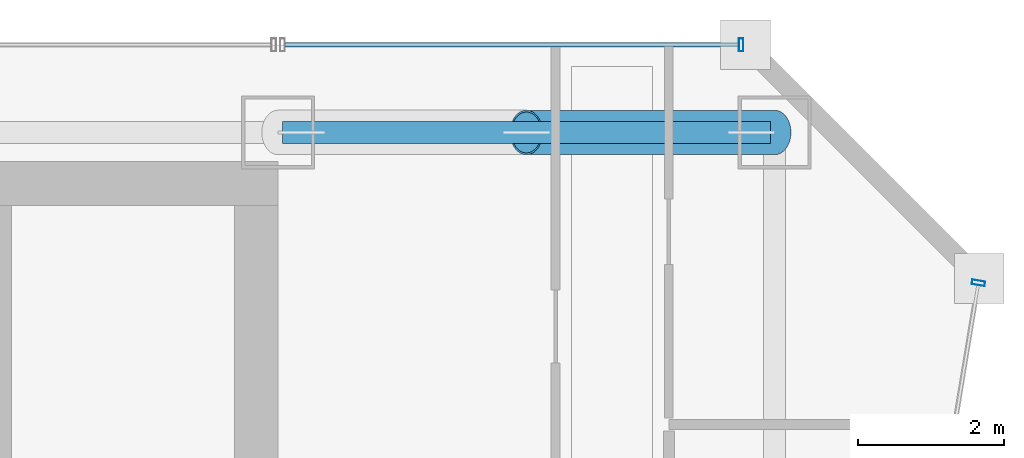
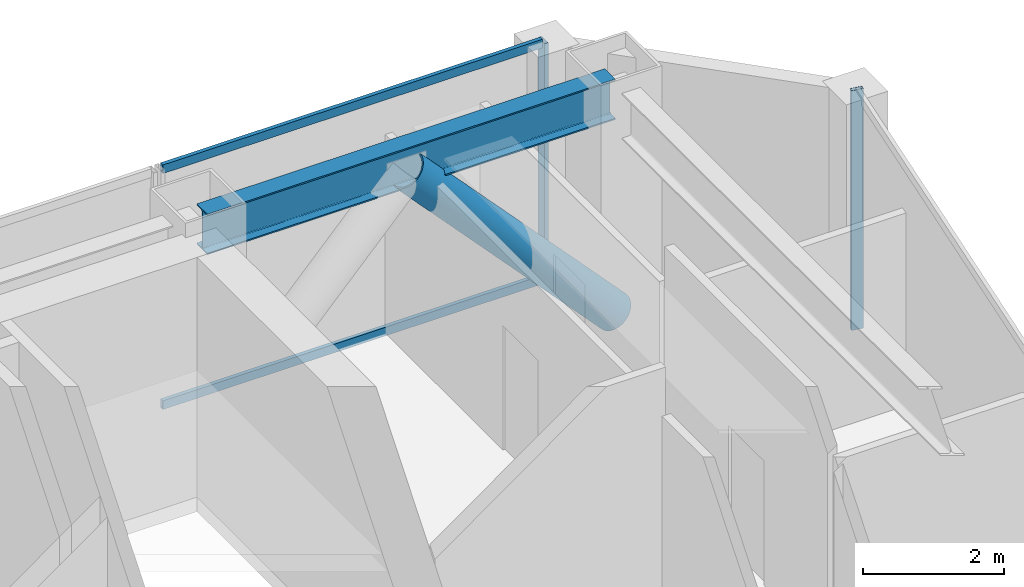
# One storey, part 25 of 35: 5 members, 1 beam, 2 elements without a shape of their own.
"""IFC4 building model written with IfcOpenShell, lengths in metres."""

import ifcopenshell
import ifcopenshell.guid

model = None  # the IFC model being written
_history = None  # IfcOwnerHistory: only IFC2X3 demands one
_inside = {}  # id of a spatial element -> (the spatial element, [elements in it])
_under = {}  # id of a project, library or spatial element -> (it, [spatial elements below it])
_declared = {}  # id of a project -> (the project, [libraries it declares])
_typed = {}  # id of a type object -> (the type object, [elements of that type])
_made_of = {}  # id of a material, layer set ... -> (it, [elements and type objects made of it])


def new_model(schema):
    """Start an empty IFC model of exactly this schema.

    Asked for "IFC4X3", IfcOpenShell would pick the latest addendum, in which some entities
    have other attributes; the version numbers below select the first issue.
    IFC2X3 requires an IfcOwnerHistory on every rooted entity: one is made here for all.
    """
    global model, _history
    if schema == "IFC4X3":
        model = ifcopenshell.file(schema_version=(4, 3, 0, 0))
    else:
        model = ifcopenshell.file(schema=schema)
    _inside.clear()
    _under.clear()
    _declared.clear()
    _typed.clear()
    _made_of.clear()
    _history = None
    if model.schema == "IFC2X3":
        org = make("IfcOrganization", Name="unknown")
        user = make(
            "IfcPersonAndOrganization",
            ThePerson=make("IfcPerson", FamilyName="unknown"),
            TheOrganization=org,
        )
        app = make(
            "IfcApplication",
            ApplicationDeveloper=org,
            Version="unknown",
            ApplicationFullName="unknown",
            ApplicationIdentifier="unknown",
        )
        _history = make(
            "IfcOwnerHistory",
            OwningUser=user,
            OwningApplication=app,
            ChangeAction="ADDED",
            CreationDate=0,
        )
    return model


def make(cls, **values):
    """One entity of the class cls with the attributes given. An attribute that is None is left unset."""
    return model.create_entity(
        cls, **{name: value for name, value in values.items() if value is not None}
    )


def rooted(cls, **values):
    """An entity with a GlobalId (a new one), such as an element, a storey or a relation."""
    return make(cls, GlobalId=ifcopenshell.guid.new(), OwnerHistory=_history, **values)


def si_unit(unit_type, name, prefix=None):
    """IfcSIUnit, for example si_unit("LENGTHUNIT", "METRE", prefix="MILLI")."""
    return make("IfcSIUnit", UnitType=unit_type, Prefix=prefix, Name=name)


def assignment(units):
    """IfcUnitAssignment: the units of a project."""
    return None if units is None else make("IfcUnitAssignment", Units=units)


def point(xyz):
    """IfcCartesianPoint."""
    return None if xyz is None else make("IfcCartesianPoint", Coordinates=xyz)


def direction(xyz):
    """IfcDirection."""
    return None if xyz is None else make("IfcDirection", DirectionRatios=xyz)


def frame(location, z_axis=None, x_axis=None):
    """IfcAxis2Placement3D, a coordinate frame: its origin and axes. An axis left out is left unset."""
    return make(
        "IfcAxis2Placement3D",
        Location=point(location),
        Axis=direction(z_axis),
        RefDirection=direction(x_axis),
    )


def frame_2d(location, x_axis=None):
    """IfcAxis2Placement2D, a coordinate frame in the plane: its origin and x axis."""
    return make(
        "IfcAxis2Placement2D", Location=point(location), RefDirection=direction(x_axis)
    )


def origin():
    """The frame at (0, 0, 0) with its axes left unset."""
    return frame((0.0, 0.0, 0.0))


def origin_2d():
    """The frame at (0, 0) in the plane with its x axis left unset."""
    return frame_2d((0.0, 0.0))


def place(relative_to, where):
    """IfcLocalPlacement: puts the frame where relative to a parent placement (None: the world)."""
    return make(
        "IfcLocalPlacement", PlacementRelTo=relative_to, RelativePlacement=where
    )


def context(
    kind, dimensions, precision=None, world=None, true_north=None, identifier=None
):
    """IfcGeometricRepresentationContext, for example the 3D "Model" context."""
    return make(
        "IfcGeometricRepresentationContext",
        ContextIdentifier=identifier,
        ContextType=kind,
        CoordinateSpaceDimension=dimensions,
        Precision=precision,
        WorldCoordinateSystem=world,
        TrueNorth=true_north,
    )


def subcontext(parent, identifier, kind, view, scale=None):
    """IfcGeometricRepresentationSubContext, for example "Body" below "Model"."""
    return make(
        "IfcGeometricRepresentationSubContext",
        ContextIdentifier=identifier,
        ContextType=kind,
        ParentContext=parent,
        TargetScale=scale,
        TargetView=view,
    )


def project(units=None, contexts=None):
    """IfcProject with its units and contexts."""
    return rooted(
        "IfcProject",
        Name="project",
        RepresentationContexts=contexts,
        UnitsInContext=assignment(units),
    )


def spatial(cls, under=None, at=None, **own):
    """A site, building, storey or space (cls), placed at a placement, below another one or the project."""
    s = rooted(cls, ObjectPlacement=at, **own)
    if under is not None:
        _under.setdefault(under.id(), (under, []))[1].append(s)
    return s


def profile(cls, at=None, kind="AREA", **sizes):
    """A parametric profile (cls). Its sizes go by their IFC names, for example OverallWidth=200.0."""
    return make(cls, ProfileType=kind, Position=at, **sizes)


def hollow_rectangle(**sizes):
    """IfcRectangleHollowProfileDef."""
    return profile("IfcRectangleHollowProfileDef", **sizes)


def hollow_circle(**sizes):
    """IfcCircleHollowProfileDef."""
    return profile("IfcCircleHollowProfileDef", **sizes)


def i_section(**sizes):
    """IfcIShapeProfileDef."""
    return profile("IfcIShapeProfileDef", **sizes)


def extrude(swept, where, along, depth):
    """IfcExtrudedAreaSolid: the profile swept, set in the frame where, extruded along a direction by depth."""
    return make(
        "IfcExtrudedAreaSolid",
        SweptArea=swept,
        Position=where,
        ExtrudedDirection=direction(along),
        Depth=depth,
    )


def shape(context_of_items, identifier, shape_type, items):
    """IfcShapeRepresentation: the items that make up one representation, for example the "Body"."""
    return make(
        "IfcShapeRepresentation",
        ContextOfItems=context_of_items,
        RepresentationIdentifier=identifier,
        RepresentationType=shape_type,
        Items=items,
    )


def material(Name=None, Category=None):
    """IfcMaterial."""
    return make("IfcMaterial", Name=Name, Category=Category)


def material_profile(
    of_material, cross_section, Name=None, Category=None, Priority=None
):
    """IfcMaterialProfile: a cross section and its material."""
    return make(
        "IfcMaterialProfile",
        Name=Name,
        Material=of_material,
        Profile=cross_section,
        Priority=Priority,
        Category=Category,
    )


def profile_set(profiles, Name=None, composite=None):
    """IfcMaterialProfileSet."""
    return make(
        "IfcMaterialProfileSet",
        Name=Name,
        MaterialProfiles=profiles,
        CompositeProfile=composite,
    )


def made_of(thing, what):
    """Note that an element or type object is made of a material, layer set ...; save() writes the relation."""
    if what is not None:
        _made_of.setdefault(what.id(), (what, []))[1].append(thing)
    return thing


def type_object(cls, material=None, **own):
    """A type object (cls), such as IfcWallType, which elements share."""
    return made_of(rooted(cls, **own), material)


def element(
    cls,
    number,
    at=None,
    inside=None,
    cuts=None,
    type_object=None,
    material=None,
    context=None,
    identifier="Body",
    shape_type=None,
    held_by="IfcProductDefinitionShape",
    body=None,
    shapes=None,
    **own,
):
    """One element of the class cls, such as IfcWall. Its Tag is "e" and its number.

    at: its placement. inside: the storey or other place that contains it. cuts: it is an
    opening in that element (IfcRelVoidsElement). A single representation is given by context,
    identifier, shape_type and body (its items); several are given by shapes. held_by: the class
    of the entity that holds the representations. save() writes the other relations.
    """
    e = rooted(cls, Tag="e%d" % number, ObjectPlacement=at, **own)
    if body is not None:
        shapes = [shape(context, identifier, shape_type, body)]
    if shapes is not None:
        e.Representation = make(held_by, Representations=shapes)
    if inside is not None:
        _inside.setdefault(inside.id(), (inside, []))[1].append(e)
    if cuts is not None:
        rooted(
            "IfcRelVoidsElement", RelatingBuildingElement=cuts, RelatedOpeningElement=e
        )
    if type_object is not None:
        _typed.setdefault(type_object.id(), (type_object, []))[1].append(e)
    return made_of(e, material)


def aggregate(whole, parts):
    """IfcRelAggregates: a whole, such as a stair, and the parts it consists of."""
    return rooted("IfcRelAggregates", RelatingObject=whole, RelatedObjects=parts)


def save(model, path):
    """Write the relations noted so far, then the file.

    IfcRelAggregates (storeys below a building ...), IfcRelContainedInSpatialStructure (elements
    in a storey), IfcRelDefinesByType, IfcRelAssociatesMaterial and IfcRelDeclares: one each for
    every whole, place, type object, material and project.
    """
    for whole, parts in _under.values():
        aggregate(whole, parts)
    for where, things in _inside.values():
        rooted(
            "IfcRelContainedInSpatialStructure",
            RelatedElements=things,
            RelatingStructure=where,
        )
    for kind, things in _typed.values():
        rooted("IfcRelDefinesByType", RelatedObjects=things, RelatingType=kind)
    for what, things in _made_of.values():
        rooted("IfcRelAssociatesMaterial", RelatedObjects=things, RelatingMaterial=what)
    for by, libraries in _declared.values():
        rooted("IfcRelDeclares", RelatingContext=by, RelatedDefinitions=libraries)
    model.write(path)


model = new_model("IFC4")

# Units and contexts
model_context = context("Model", 3, precision=1e-05, world=origin(), true_north=direction((0.0, 1.0)))
body_context = subcontext(model_context, "Body", "Model", "MODEL_VIEW")
ifc_project = project(units=[si_unit("LENGTHUNIT", "METRE"), si_unit("AREAUNIT", "SQUARE_METRE"), si_unit("VOLUMEUNIT", "CUBIC_METRE"), si_unit("PLANEANGLEUNIT", "RADIAN"), si_unit("MASSUNIT", "GRAM", prefix="KILO")], contexts=[model_context])

# Site, building, storey
site_placement = place(None, origin())
site = spatial("IfcSite", under=ifc_project, at=site_placement, CompositionType="ELEMENT")
building_placement = place(site_placement, origin())
building = spatial("IfcBuilding", under=site, at=building_placement, Name="Saevonmaru Cultural Tower", CompositionType="ELEMENT")
storey_placement = place(building_placement, frame((0.0, 0.0, 101.60009765625)))
storey = spatial("IfcBuildingStorey", under=building, at=storey_placement, Name="L21", CompositionType="ELEMENT", Elevation=101.60009765625)

# Beam
ifc_material_1 = material(Name="Steel SM355", Category="steel")
ifc_material_profile_1 = material_profile(ifc_material_1, i_section(OverallWidth=0.300048828125, OverallDepth=0.699951171875, WebThickness=0.012939453125, FlangeThickness=0.02392578125, FilletRadius=0.02587890625, at=origin_2d()), Name="H-700x300x13x24")
ifc_profile_set_1 = profile_set([ifc_material_profile_1], Name="Steel SM355")
beam_type = type_object("IfcBeamType", Name="BM-SP-H700", PredefinedType="SPANDREL", material=ifc_profile_set_1)
beam_placement = place(storey_placement, frame((46.4599609375, 54.800048828125, 3.7998046875), z_axis=(1.0, 0.0, 0.0), x_axis=(0.0, 1.0, 0.0)))
element("IfcBeam", 1, at=beam_placement, inside=storey, type_object=beam_type, Name="L21 North Spine Girder 5", PredefinedType="SPANDREL", context=body_context, shape_type="SweptSolid", body=[
    extrude(i_section(OverallWidth=0.300048828125, OverallDepth=0.699951171875, WebThickness=0.012939453125, FlangeThickness=0.02392578125, FilletRadius=0.02587890625, at=origin_2d()), origin(), (0.0, 0.0, 1.0), 6.679931640625),
])

# Member
ifc_material_2 = material(Name="Steel HSA600 (600 MPa)", Category="steel")
ifc_material_profile_2 = material_profile(ifc_material_2, hollow_circle(Radius=0.3046875, WallThickness=0.02490234375, at=origin_2d()), Name="CHS-609.6x25")
ifc_profile_set_2 = profile_set([ifc_material_profile_2], Name="Steel HSA600 (600 MPa)")
member_type_1 = type_object("IfcMemberType", Name="MB-PBR-CHS610", PredefinedType="BRACE", material=ifc_profile_set_2)
member_1_placement = place(storey_placement, frame((53.199951171875, 54.800048828125, 0.02001953125), z_axis=(-0.681602937137, 0.0, 0.73172223971), x_axis=(0.0, -1.0, 0.0)))
element("IfcMember", 2, at=member_1_placement, inside=storey, type_object=member_type_1, Name="L21 Perimeter Braced-Tube Diagonal EN2", PredefinedType="BRACE", context=body_context, shape_type="SweptSolid", body=[
    extrude(hollow_circle(Radius=0.3046875, WallThickness=0.02490234375, at=origin_2d()), origin(), (0.0, 0.0, 1.0), 4.988037109375),
])

# Curtain wall, member
ifc_material_3 = material(Name="Satin Bronze Anodised Aluminium", Category="aluminium")
curtain_wall_type = type_object("IfcCurtainWallType", Name="CW-TYP-A", PredefinedType="NOTDEFINED", material=ifc_material_3)
curtain_wall_1_placement = place(storey_placement, origin())
curtain_wall_1 = element("IfcCurtainWall", 3, at=curtain_wall_1_placement, inside=storey, type_object=curtain_wall_type, Name="L21 Unitised Curtain Wall E8", PredefinedType="NOTDEFINED")
ifc_material_profile_3 = material_profile(ifc_material_3, hollow_rectangle(XDim=0.06494140625, YDim=0.179931640625, WallThickness=0.00390625, at=origin_2d()), Name="ALU-MULL-180x65x4")
ifc_profile_set_3 = profile_set([ifc_material_profile_3], Name="Satin Bronze Anodised Aluminium")
member_type_2 = type_object("IfcMemberType", Name="ML-CW-180x65", PredefinedType="MULLION", material=ifc_profile_set_3)
member_2_placement = place(storey_placement, frame((55.990234375, 52.74072265625, 0.0), z_axis=(0.0, 0.0, 1.0), x_axis=(0.163998702345, 0.986460554523, 0.0)))
member_2 = element("IfcMember", 4, at=member_2_placement, type_object=member_type_2, Name="CW-TW-L21-E8 mullion 5", PredefinedType="MULLION", context=body_context, shape_type="SweptSolid", body=[
    extrude(hollow_rectangle(XDim=0.06494140625, YDim=0.179931640625, WallThickness=0.00390625, at=origin_2d()), origin(), (0.0, 0.0, 1.0), 4.14990234375),
])
aggregate(curtain_wall_1, [member_2])

# Curtain wall, members
curtain_wall_2_placement = place(storey_placement, origin())
curtain_wall_2 = element("IfcCurtainWall", 5, at=curtain_wall_2_placement, inside=storey, type_object=curtain_wall_type, Name="L21 East Braced Bay Spandrel Curtain Wall E10A", PredefinedType="NOTDEFINED")
member_3_placement = place(storey_placement, frame((52.739990234375, 56.0, 0.0), z_axis=(0.0, 0.0, 1.0), x_axis=(-1.0, 0.0, 0.0)))
member_3 = element("IfcMember", 6, at=member_3_placement, type_object=member_type_2, Name="CW-TW-L21-E10A mullion 1", PredefinedType="MULLION", context=body_context, shape_type="SweptSolid", body=[
    extrude(hollow_rectangle(XDim=0.06494140625, YDim=0.179931640625, WallThickness=0.00390625, at=origin_2d()), origin(), (0.0, 0.0, 1.0), 4.14990234375),
])
ifc_material_profile_4 = material_profile(ifc_material_3, hollow_rectangle(XDim=0.06494140625, YDim=0.14990234375, WallThickness=0.00390625, at=origin_2d()), Name="ALU-TRAN-150x65x4")
ifc_profile_set_4 = profile_set([ifc_material_profile_4], Name="Satin Bronze Anodised Aluminium")
member_type_3 = type_object("IfcMemberType", Name="TR-CW-150x65", PredefinedType="USERDEFINED", material=ifc_profile_set_4)
member_4_placement = place(storey_placement, frame((52.70751953125, 56.0, 0.032470703125), z_axis=(-1.0, 0.0, 0.0), x_axis=(0.0, -1.0, 0.0)))
member_4 = element("IfcMember", 7, at=member_4_placement, type_object=member_type_3, Name="CW-TW-L21-E10A transom 1.1", ObjectType="TRANSOM", PredefinedType="USERDEFINED", context=body_context, shape_type="SweptSolid", body=[
    extrude(hollow_rectangle(XDim=0.06494140625, YDim=0.14990234375, WallThickness=0.00390625, at=origin_2d()), origin(), (0.0, 0.0, 1.0), 6.215087890625),
])
member_5_placement = place(storey_placement, frame((52.70751953125, 56.0, 4.117431640625), z_axis=(-1.0, 0.0, 0.0), x_axis=(0.0, -1.0, 0.0)))
member_5 = element("IfcMember", 8, at=member_5_placement, type_object=member_type_3, Name="CW-TW-L21-E10A transom 1.2", ObjectType="TRANSOM", PredefinedType="USERDEFINED", context=body_context, shape_type="SweptSolid", body=[
    extrude(hollow_rectangle(XDim=0.06494140625, YDim=0.14990234375, WallThickness=0.00390625, at=origin_2d()), origin(), (0.0, 0.0, 1.0), 6.215087890625),
])
aggregate(curtain_wall_2, [member_3, member_4, member_5])

save(model, "model.ifc")
